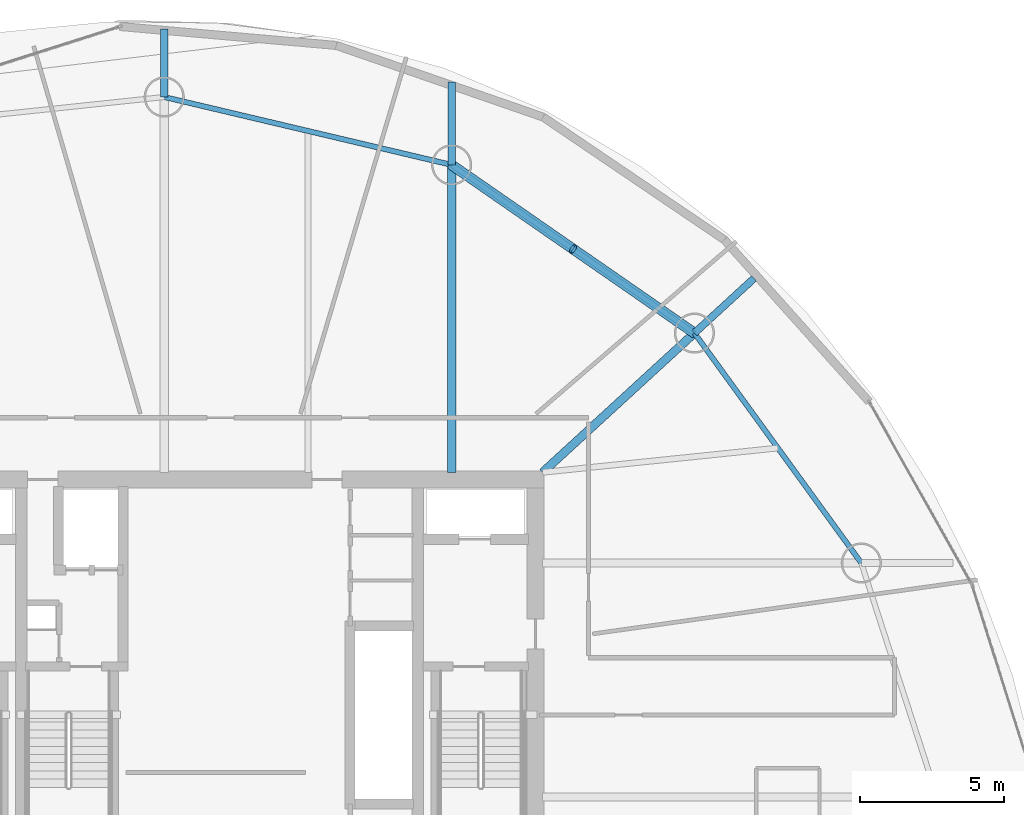
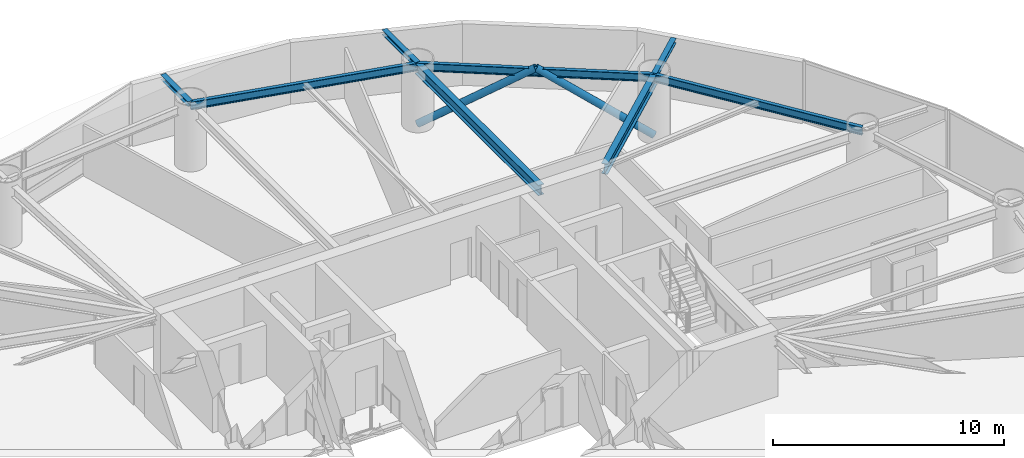
# One storey, part 14 of 22: 8 beams, 2 members.
"""IFC4 building model written with IfcOpenShell, lengths in metres."""

import ifcopenshell
import ifcopenshell.guid

model = None  # the IFC model being written
_history = None  # IfcOwnerHistory: only IFC2X3 demands one
_inside = {}  # id of a spatial element -> (the spatial element, [elements in it])
_under = {}  # id of a project, library or spatial element -> (it, [spatial elements below it])
_declared = {}  # id of a project -> (the project, [libraries it declares])
_typed = {}  # id of a type object -> (the type object, [elements of that type])
_made_of = {}  # id of a material, layer set ... -> (it, [elements and type objects made of it])


def new_model(schema):
    """Start an empty IFC model of exactly this schema.

    Asked for "IFC4X3", IfcOpenShell would pick the latest addendum, in which some entities
    have other attributes; the version numbers below select the first issue.
    IFC2X3 requires an IfcOwnerHistory on every rooted entity: one is made here for all.
    """
    global model, _history
    if schema == "IFC4X3":
        model = ifcopenshell.file(schema_version=(4, 3, 0, 0))
    else:
        model = ifcopenshell.file(schema=schema)
    _inside.clear()
    _under.clear()
    _declared.clear()
    _typed.clear()
    _made_of.clear()
    _history = None
    if model.schema == "IFC2X3":
        org = make("IfcOrganization", Name="unknown")
        user = make(
            "IfcPersonAndOrganization",
            ThePerson=make("IfcPerson", FamilyName="unknown"),
            TheOrganization=org,
        )
        app = make(
            "IfcApplication",
            ApplicationDeveloper=org,
            Version="unknown",
            ApplicationFullName="unknown",
            ApplicationIdentifier="unknown",
        )
        _history = make(
            "IfcOwnerHistory",
            OwningUser=user,
            OwningApplication=app,
            ChangeAction="ADDED",
            CreationDate=0,
        )
    return model


def make(cls, **values):
    """One entity of the class cls with the attributes given. An attribute that is None is left unset."""
    return model.create_entity(
        cls, **{name: value for name, value in values.items() if value is not None}
    )


def rooted(cls, **values):
    """An entity with a GlobalId (a new one), such as an element, a storey or a relation."""
    return make(cls, GlobalId=ifcopenshell.guid.new(), OwnerHistory=_history, **values)


def si_unit(unit_type, name, prefix=None):
    """IfcSIUnit, for example si_unit("LENGTHUNIT", "METRE", prefix="MILLI")."""
    return make("IfcSIUnit", UnitType=unit_type, Prefix=prefix, Name=name)


def assignment(units):
    """IfcUnitAssignment: the units of a project."""
    return None if units is None else make("IfcUnitAssignment", Units=units)


def point(xyz):
    """IfcCartesianPoint."""
    return None if xyz is None else make("IfcCartesianPoint", Coordinates=xyz)


def direction(xyz):
    """IfcDirection."""
    return None if xyz is None else make("IfcDirection", DirectionRatios=xyz)


def frame(location, z_axis=None, x_axis=None):
    """IfcAxis2Placement3D, a coordinate frame: its origin and axes. An axis left out is left unset."""
    return make(
        "IfcAxis2Placement3D",
        Location=point(location),
        Axis=direction(z_axis),
        RefDirection=direction(x_axis),
    )


def frame_2d(location, x_axis=None):
    """IfcAxis2Placement2D, a coordinate frame in the plane: its origin and x axis."""
    return make(
        "IfcAxis2Placement2D", Location=point(location), RefDirection=direction(x_axis)
    )


def origin():
    """The frame at (0, 0, 0) with its axes left unset."""
    return frame((0.0, 0.0, 0.0))


def origin_2d():
    """The frame at (0, 0) in the plane with its x axis left unset."""
    return frame_2d((0.0, 0.0))


def place(relative_to, where):
    """IfcLocalPlacement: puts the frame where relative to a parent placement (None: the world)."""
    return make(
        "IfcLocalPlacement", PlacementRelTo=relative_to, RelativePlacement=where
    )


def context(
    kind, dimensions, precision=None, world=None, true_north=None, identifier=None
):
    """IfcGeometricRepresentationContext, for example the 3D "Model" context."""
    return make(
        "IfcGeometricRepresentationContext",
        ContextIdentifier=identifier,
        ContextType=kind,
        CoordinateSpaceDimension=dimensions,
        Precision=precision,
        WorldCoordinateSystem=world,
        TrueNorth=true_north,
    )


def subcontext(parent, identifier, kind, view, scale=None):
    """IfcGeometricRepresentationSubContext, for example "Body" below "Model"."""
    return make(
        "IfcGeometricRepresentationSubContext",
        ContextIdentifier=identifier,
        ContextType=kind,
        ParentContext=parent,
        TargetScale=scale,
        TargetView=view,
    )


def project(units=None, contexts=None):
    """IfcProject with its units and contexts."""
    return rooted(
        "IfcProject",
        Name="project",
        RepresentationContexts=contexts,
        UnitsInContext=assignment(units),
    )


def spatial(cls, under=None, at=None, **own):
    """A site, building, storey or space (cls), placed at a placement, below another one or the project."""
    s = rooted(cls, ObjectPlacement=at, **own)
    if under is not None:
        _under.setdefault(under.id(), (under, []))[1].append(s)
    return s


def profile(cls, at=None, kind="AREA", **sizes):
    """A parametric profile (cls). Its sizes go by their IFC names, for example OverallWidth=200.0."""
    return make(cls, ProfileType=kind, Position=at, **sizes)


def hollow_circle(**sizes):
    """IfcCircleHollowProfileDef."""
    return profile("IfcCircleHollowProfileDef", **sizes)


def i_section(**sizes):
    """IfcIShapeProfileDef."""
    return profile("IfcIShapeProfileDef", **sizes)


def extrude(swept, where, along, depth):
    """IfcExtrudedAreaSolid: the profile swept, set in the frame where, extruded along a direction by depth."""
    return make(
        "IfcExtrudedAreaSolid",
        SweptArea=swept,
        Position=where,
        ExtrudedDirection=direction(along),
        Depth=depth,
    )


def shape(context_of_items, identifier, shape_type, items):
    """IfcShapeRepresentation: the items that make up one representation, for example the "Body"."""
    return make(
        "IfcShapeRepresentation",
        ContextOfItems=context_of_items,
        RepresentationIdentifier=identifier,
        RepresentationType=shape_type,
        Items=items,
    )


def material(Name=None, Category=None):
    """IfcMaterial."""
    return make("IfcMaterial", Name=Name, Category=Category)


def material_profile(
    of_material, cross_section, Name=None, Category=None, Priority=None
):
    """IfcMaterialProfile: a cross section and its material."""
    return make(
        "IfcMaterialProfile",
        Name=Name,
        Material=of_material,
        Profile=cross_section,
        Priority=Priority,
        Category=Category,
    )


def profile_set(profiles, Name=None, composite=None):
    """IfcMaterialProfileSet."""
    return make(
        "IfcMaterialProfileSet",
        Name=Name,
        MaterialProfiles=profiles,
        CompositeProfile=composite,
    )


def made_of(thing, what):
    """Note that an element or type object is made of a material, layer set ...; save() writes the relation."""
    if what is not None:
        _made_of.setdefault(what.id(), (what, []))[1].append(thing)
    return thing


def type_object(cls, material=None, **own):
    """A type object (cls), such as IfcWallType, which elements share."""
    return made_of(rooted(cls, **own), material)


def element(
    cls,
    number,
    at=None,
    inside=None,
    cuts=None,
    type_object=None,
    material=None,
    context=None,
    identifier="Body",
    shape_type=None,
    held_by="IfcProductDefinitionShape",
    body=None,
    shapes=None,
    **own,
):
    """One element of the class cls, such as IfcWall. Its Tag is "e" and its number.

    at: its placement. inside: the storey or other place that contains it. cuts: it is an
    opening in that element (IfcRelVoidsElement). A single representation is given by context,
    identifier, shape_type and body (its items); several are given by shapes. held_by: the class
    of the entity that holds the representations. save() writes the other relations.
    """
    e = rooted(cls, Tag="e%d" % number, ObjectPlacement=at, **own)
    if body is not None:
        shapes = [shape(context, identifier, shape_type, body)]
    if shapes is not None:
        e.Representation = make(held_by, Representations=shapes)
    if inside is not None:
        _inside.setdefault(inside.id(), (inside, []))[1].append(e)
    if cuts is not None:
        rooted(
            "IfcRelVoidsElement", RelatingBuildingElement=cuts, RelatedOpeningElement=e
        )
    if type_object is not None:
        _typed.setdefault(type_object.id(), (type_object, []))[1].append(e)
    return made_of(e, material)


def aggregate(whole, parts):
    """IfcRelAggregates: a whole, such as a stair, and the parts it consists of."""
    return rooted("IfcRelAggregates", RelatingObject=whole, RelatedObjects=parts)


def save(model, path):
    """Write the relations noted so far, then the file.

    IfcRelAggregates (storeys below a building ...), IfcRelContainedInSpatialStructure (elements
    in a storey), IfcRelDefinesByType, IfcRelAssociatesMaterial and IfcRelDeclares: one each for
    every whole, place, type object, material and project.
    """
    for whole, parts in _under.values():
        aggregate(whole, parts)
    for where, things in _inside.values():
        rooted(
            "IfcRelContainedInSpatialStructure",
            RelatedElements=things,
            RelatingStructure=where,
        )
    for kind, things in _typed.values():
        rooted("IfcRelDefinesByType", RelatedObjects=things, RelatingType=kind)
    for what, things in _made_of.values():
        rooted("IfcRelAssociatesMaterial", RelatedObjects=things, RelatingMaterial=what)
    for by, libraries in _declared.values():
        rooted("IfcRelDeclares", RelatingContext=by, RelatedDefinitions=libraries)
    model.write(path)


model = new_model("IFC4")

# Units and contexts
model_context = context("Model", 3, precision=1e-05, world=origin(), true_north=direction((0.0, 1.0)))
body_context = subcontext(model_context, "Body", "Model", "MODEL_VIEW")
ifc_project = project(units=[si_unit("LENGTHUNIT", "METRE"), si_unit("AREAUNIT", "SQUARE_METRE"), si_unit("VOLUMEUNIT", "CUBIC_METRE"), si_unit("PLANEANGLEUNIT", "RADIAN"), si_unit("MASSUNIT", "GRAM", prefix="KILO")], contexts=[model_context])

# Site, building, storey
site_placement = place(None, origin())
site = spatial("IfcSite", under=ifc_project, at=site_placement, CompositionType="ELEMENT")
building_placement = place(site_placement, origin())
building = spatial("IfcBuilding", under=site, at=building_placement, Name="Bramvorn Convention Spire", CompositionType="ELEMENT")
storey_placement = place(building_placement, frame((0.0, 0.0, 137.800048828125)))
storey = spatial("IfcBuildingStorey", under=building, at=storey_placement, Name="L34", CompositionType="ELEMENT", Elevation=137.800048828125)

# Beams
ifc_material = material(Name="Steel CSA G40.21 Grade 350 (350W)", Category="steel")
ifc_material_profile_1 = material_profile(ifc_material, i_section(OverallWidth=0.25390625, OverallDepth=0.2529296875, WebThickness=0.008544921875, FlangeThickness=0.01416015625, FilletRadius=0.011962890625, at=origin_2d()))
ifc_profile_set_1 = profile_set([ifc_material_profile_1], Name="Steel CSA G40.21 Grade 350 (350W) - W250X73")
beam_type_1 = type_object("IfcBeamType", Name="BM-W250X73", PredefinedType="BEAM", material=ifc_profile_set_1)
beam_1_placement = place(storey_placement, frame((54.534912109375, 38.299072265625, 3.133544921875), z_axis=(0.736848095169, 0.676058344114, 0.0), x_axis=(-0.676058344114, 0.736848095169, 0.0)))
element("IfcBeam", 1, at=beam_1_placement, inside=storey, type_object=beam_type_1, Name="L34 slab-edge cantilever tip beam MC04", PredefinedType="BEAM", context=body_context, shape_type="SweptSolid", body=[
    extrude(i_section(OverallWidth=0.25390625, OverallDepth=0.2529296875, WebThickness=0.008544921875, FlangeThickness=0.01416015625, FilletRadius=0.011962890625, at=origin_2d()), origin(), (0.0, 0.0, 1.0), 2.8154296875),
])
beam_2_placement = place(storey_placement, frame((46.082763671875, 44.154052734375, 3.133544921875), z_axis=(0.0, 1.0, 0.0), x_axis=(-1.0, 0.0, 0.0)))
element("IfcBeam", 2, at=beam_2_placement, inside=storey, type_object=beam_type_1, Name="L34 slab-edge cantilever tip beam MC05", PredefinedType="BEAM", context=body_context, shape_type="SweptSolid", body=[
    extrude(i_section(OverallWidth=0.25390625, OverallDepth=0.2529296875, WebThickness=0.008544921875, FlangeThickness=0.01416015625, FilletRadius=0.011962890625, at=origin_2d()), origin(), (0.0, 0.0, 1.0), 2.88330078125),
])
beam_3_placement = place(storey_placement, frame((36.075927734375, 46.517333984375, 3.133544921875), z_axis=(0.0, 1.0, 0.0), x_axis=(-1.0, 0.0, 0.0)))
element("IfcBeam", 3, at=beam_3_placement, inside=storey, type_object=beam_type_1, Name="L34 slab-edge cantilever tip beam MC06", PredefinedType="BEAM", context=body_context, shape_type="SweptSolid", body=[
    extrude(i_section(OverallWidth=0.25390625, OverallDepth=0.2529296875, WebThickness=0.008544921875, FlangeThickness=0.01416015625, FilletRadius=0.011962890625, at=origin_2d()), origin(), (0.0, 0.0, 1.0), 2.375244140625),
])
ifc_material_profile_2 = material_profile(ifc_material, i_section(OverallWidth=0.180908203125, OverallDepth=0.4169921875, WebThickness=0.010986328125, FlangeThickness=0.018310546875, FilletRadius=0.01611328125, at=origin_2d()))
ifc_profile_set_2 = profile_set([ifc_material_profile_2], Name="Steel CSA G40.21 Grade 350 (350W) - W410X85")
beam_type_2 = type_object("IfcBeamType", Name="BM-W410X85", PredefinedType="JOIST", material=ifc_profile_set_2)
beam_4_placement = place(storey_placement, frame((60.345703125, 30.293212890625, 3.051513671875), z_axis=(-0.587401024629, 0.809296012757, 0.0), x_axis=(-0.809296012757, -0.587401024629, 0.0)))
element("IfcBeam", 4, at=beam_4_placement, inside=storey, type_object=beam_type_2, Name="L34 mega-column ring beam 03", PredefinedType="JOIST", context=body_context, shape_type="SweptSolid", body=[
    extrude(i_section(OverallWidth=0.180908203125, OverallDepth=0.4169921875, WebThickness=0.010986328125, FlangeThickness=0.018310546875, FilletRadius=0.01611328125, at=origin_2d()), origin(), (0.0, 0.0, 1.0), 9.892333984375),
])
beam_5_placement = place(storey_placement, frame((54.534912109375, 38.299072265625, 3.051513671875), z_axis=(-0.822033166673, 0.569439613032, 0.0), x_axis=(-0.569439613032, -0.822033166673, 0.0)))
element("IfcBeam", 5, at=beam_5_placement, inside=storey, type_object=beam_type_2, Name="L34 mega-column ring beam 04", PredefinedType="JOIST", context=body_context, shape_type="SweptSolid", body=[
    extrude(i_section(OverallWidth=0.180908203125, OverallDepth=0.4169921875, WebThickness=0.010986328125, FlangeThickness=0.018310546875, FilletRadius=0.01611328125, at=origin_2d()), origin(), (0.0, 0.0, 1.0), 10.281982421875),
])
beam_6_placement = place(storey_placement, frame((46.082763671875, 44.154052734375, 3.051513671875), z_axis=(-0.97322750491, 0.229843911572, 0.0), x_axis=(-0.229843911572, -0.97322750491, 0.0)))
element("IfcBeam", 6, at=beam_6_placement, inside=storey, type_object=beam_type_2, Name="L34 mega-column ring beam 05", PredefinedType="JOIST", context=body_context, shape_type="SweptSolid", body=[
    extrude(i_section(OverallWidth=0.180908203125, OverallDepth=0.4169921875, WebThickness=0.010986328125, FlangeThickness=0.018310546875, FilletRadius=0.01611328125, at=origin_2d()), origin(), (0.0, 0.0, 1.0), 10.2822265625),
])
ifc_material_profile_3 = material_profile(ifc_material, i_section(OverallWidth=0.2919921875, OverallDepth=0.551025390625, WebThickness=0.01513671875, FlangeThickness=0.0244140625, FilletRadius=0.01904296875, at=origin_2d()))
ifc_profile_set_3 = profile_set([ifc_material_profile_3], Name="Steel CSA G40.21 Grade 350 (350W) - W530X182")
beam_type_3 = type_object("IfcBeamType", Name="BM-W530X182", PredefinedType="BEAM", material=ifc_profile_set_3)
beam_7_placement = place(storey_placement, frame((49.25, 33.449951171875, 2.984375), z_axis=(0.736833323746, 0.676074443399, 0.0), x_axis=(-0.676074443399, 0.736833323746, 0.0)))
element("IfcBeam", 7, at=beam_7_placement, inside=storey, type_object=beam_type_3, Name="L34 radial floor girder MC04", PredefinedType="BEAM", context=body_context, shape_type="SweptSolid", body=[
    extrude(i_section(OverallWidth=0.2919921875, OverallDepth=0.551025390625, WebThickness=0.01513671875, FlangeThickness=0.0244140625, FilletRadius=0.01904296875, at=origin_2d()), origin(), (0.0, 0.0, 1.0), 7.17236328125),
])
beam_8_placement = place(storey_placement, frame((46.082763671875, 33.449951171875, 2.984375), z_axis=(0.0, 1.0, 0.0), x_axis=(-1.0, 0.0, 0.0)))
element("IfcBeam", 8, at=beam_8_placement, inside=storey, type_object=beam_type_3, Name="L34 radial floor girder MC05", PredefinedType="BEAM", context=body_context, shape_type="SweptSolid", body=[
    extrude(i_section(OverallWidth=0.2919921875, OverallDepth=0.551025390625, WebThickness=0.01513671875, FlangeThickness=0.0244140625, FilletRadius=0.01904296875, at=origin_2d()), origin(), (0.0, 0.0, 1.0), 10.7041015625),
])

# Members
ifc_material_profile_4 = material_profile(ifc_material, hollow_circle(Radius=0.177734375, WallThickness=0.015869140625, at=origin_2d()))
ifc_profile_set_4 = profile_set([ifc_material_profile_4], Name="Steel CSA G40.21 Grade 350 (350W) - CHS356X16")
member_type = type_object("IfcMemberType", Name="MBR-CHS356X16", PredefinedType="BRACE", material=ifc_profile_set_4)
for number, where, z_axis, x_axis, name in (
    (9, (54.534912109375, 38.299072265625, 0.0), (-0.694222482493, 0.480902471841, 0.535525869944), (-0.569439613032, -0.822033166673, 0.0), "L34 perimeter Gothic lancet brace 4A"),
    (10, (46.082763671875, 44.154052734375, 0.0), (0.694222482493, -0.480902471841, 0.535525869944), (0.569439613032, 0.822033166673, 0.0), "L34 perimeter Gothic lancet brace 4B"),
):
    element("IfcMember", number, at=place(storey_placement, frame(where, z_axis=z_axis, x_axis=x_axis)), inside=storey, type_object=member_type, Name=name, PredefinedType="BRACE", context=body_context, shape_type="SweptSolid", body=[
        extrude(hollow_circle(Radius=0.177734375, WallThickness=0.015869140625, at=origin_2d()), origin(), (0.0, 0.0, 1.0), 6.08740234375),
    ])

save(model, "model.ifc")
